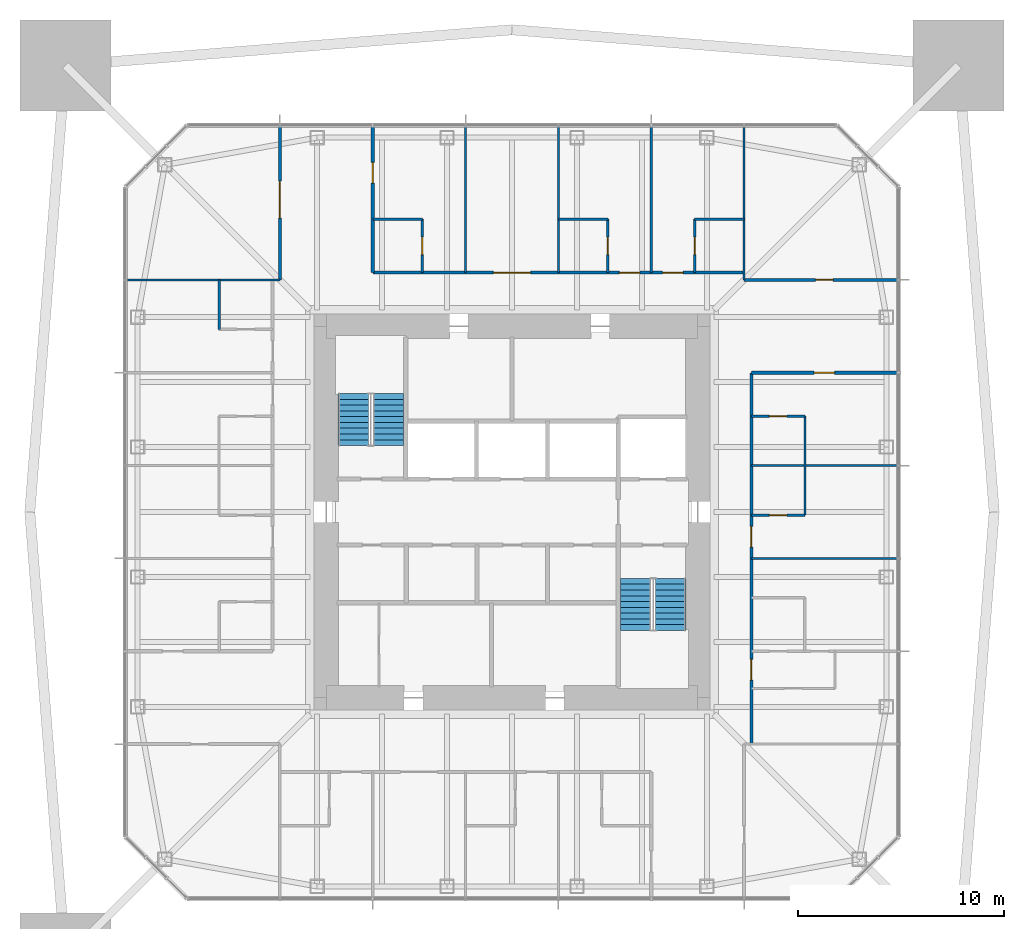
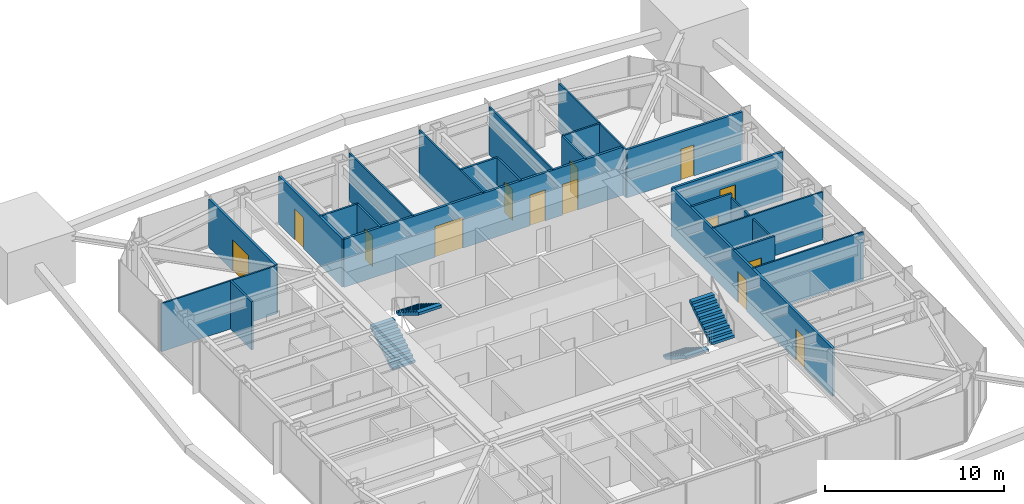
# One storey, part 10 of 13: 23 walls, 14 doors, 4 stair flights, 14 openings, 2 elements without a shape of their own.
"""IFC4 building model written with IfcOpenShell, lengths in metres."""

from ifc_helpers import new_model, si_unit, direction, frame, frame_2d, origin, place, context, subcontext, project, spatial, polyline, rectangle, outline, extrude, material, layer, layer_set, constituent, constituent_set, type_object, element, fill, aggregate, save


model = new_model("IFC4")

# Units and contexts
model_context = context("Model", 3, precision=1e-05, world=origin(), true_north=direction((0.0, 1.0)))
body_context = subcontext(model_context, "Body", "Model", "MODEL_VIEW")
ifc_project = project(units=[si_unit("LENGTHUNIT", "METRE"), si_unit("AREAUNIT", "SQUARE_METRE"), si_unit("VOLUMEUNIT", "CUBIC_METRE"), si_unit("PLANEANGLEUNIT", "RADIAN"), si_unit("MASSUNIT", "GRAM", prefix="KILO")], contexts=[model_context])

# Site, building, storey
site_placement = place(None, origin())
site = spatial("IfcSite", under=ifc_project, at=site_placement, CompositionType="ELEMENT")
building_placement = place(site_placement, origin())
building = spatial("IfcBuilding", under=site, at=building_placement, Name="Iwan Alto Co-Living Towers", CompositionType="ELEMENT")
storey_placement = place(building_placement, frame((0.0, 0.0, 160.0)))
storey = spatial("IfcBuildingStorey", under=building, at=storey_placement, Name="L43", CompositionType="ELEMENT", Elevation=160.0)

# Wall, opening, door
ifc_material_1 = material(Name="Gypsum board")
ifc_layer_1 = layer(ifc_material_1, 0.02490234375, Name="Board", Category="Finish")
ifc_material_2 = material(Name="Steel ASTM A1003 ST33H cold-formed studs", Category="steel")
ifc_layer_2 = layer(ifc_material_2, 0.10009765625, Name="Studs", Category="Framing")
ifc_layer_3 = layer(ifc_material_1, 0.02490234375, Name="Board", Category="Finish")
ifc_layer_set_1 = layer_set([ifc_layer_1, ifc_layer_2, ifc_layer_3], Name="CORRIDOR WALL 150")
wall_type_1 = type_object("IfcWallType", Name="CORRIDOR WALL 150", PredefinedType="PARTITIONING", material=ifc_layer_set_1)
wall_1_placement = place(storey_placement, frame((11.60009765625, 6.75, 0.0), z_axis=(0.0, 0.0, 1.0), x_axis=(1.0, 0.0, 0.0)))
wall_1 = element("IfcWall", 1, at=wall_1_placement, inside=storey, type_object=wall_type_1, Name="Partition L43", PredefinedType="PARTITIONING", context=body_context, shape_type="SweptSolid", body=[
    extrude(rectangle(XDim=7.08984375, YDim=0.14990234375, at=frame_2d((3.544921875, 0.0))), origin(), (0.0, 0.0, 1.0), 3.27001953125),
])
opening_1_placement = place(wall_1_placement, frame((3.044921875, 0.0, 0.0)))
opening_1 = element("IfcOpeningElement", 2, at=opening_1_placement, cuts=wall_1, Name="Opening D3", PredefinedType="OPENING", context=body_context, shape_type="SweptSolid", body=[
    extrude(rectangle(XDim=1.0, YDim=2.10009765625, at=frame_2d((0.5, 1.050048828125))), frame((0.0, 0.0849609375, 0.0), z_axis=(0.0, -1.0, 0.0), x_axis=(1.0, 0.0, 0.0)), (0.0, 0.0, 1.0), 0.169921875),
])
ifc_material_3 = material(Name="Steel frame with timber leaf", Category="steel")
door_type_1 = type_object("IfcDoorType", Name="FLAT ENTRANCE DOOR FD30S 1000X2100", OperationType="SINGLE_SWING_LEFT", PredefinedType="DOOR", material=ifc_material_3)
door_1_placement = place(opening_1_placement, frame((1.0, 0.0, 0.0), z_axis=(0.0, 0.0, 1.0), x_axis=(-1.0, 0.0, 0.0)))
door_1 = element("IfcDoor", 3, at=door_1_placement, inside=storey, type_object=door_type_1, Name="Studio door L43", OperationType="SINGLE_SWING_RIGHT", OverallHeight=2.10009765625, OverallWidth=1.0, PredefinedType="DOOR", context=body_context, shape_type="SweptSolid", body=[
    extrude(rectangle(XDim=1.0, YDim=2.10009765625, at=frame_2d((0.5, 1.050048828125))), frame((0.0, 0.02490234375, 0.0), z_axis=(0.0, -1.0, 0.0), x_axis=(1.0, 0.0, 0.0)), (0.0, 0.0, 1.0), 0.050048828125),
])
fill(opening_1, door_1)

wall_2_placement = place(storey_placement, frame((11.25, 11.25, 0.0), z_axis=(0.0, 0.0, 1.0), x_axis=(1.0, 0.0, 0.0)))
wall_2 = element("IfcWall", 4, at=wall_2_placement, inside=storey, type_object=wall_type_1, Name="Partition L43", PredefinedType="PARTITIONING", context=body_context, shape_type="SweptSolid", body=[
    extrude(rectangle(XDim=7.43994140625, YDim=0.14990234375, at=frame_2d((3.719970703125, 0.0))), origin(), (0.0, 0.0, 1.0), 3.27001953125),
])
opening_2_placement = place(wall_2_placement, frame((3.469970703125, 0.0, 0.0)))
opening_2 = element("IfcOpeningElement", 5, at=opening_2_placement, cuts=wall_2, Name="Opening D2", PredefinedType="OPENING", context=body_context, shape_type="SweptSolid", body=[
    extrude(rectangle(XDim=0.85009765625, YDim=2.10009765625, at=frame_2d((0.425048828125, 1.050048828125))), frame((0.0, 0.0849609375, 0.0), z_axis=(0.0, -1.0, 0.0), x_axis=(1.0, 0.0, 0.0)), (0.0, 0.0, 1.0), 0.169921875),
])
ifc_material_4 = material(Name="Timber leaf in steel frame", Category="steel")
door_type_2 = type_object("IfcDoorType", Name="ROOM DOOR 850X2100", OperationType="SINGLE_SWING_LEFT", PredefinedType="DOOR", material=ifc_material_4)
door_2_placement = place(opening_2_placement, origin())
door_2 = element("IfcDoor", 6, at=door_2_placement, inside=storey, type_object=door_type_2, Name="Shared kitchen and lounge door L43", OperationType="SINGLE_SWING_RIGHT", OverallHeight=2.10009765625, OverallWidth=0.85009765625, PredefinedType="DOOR", context=body_context, shape_type="SweptSolid", body=[
    extrude(rectangle(XDim=0.85009765625, YDim=2.10009765625, at=frame_2d((0.425048828125, 1.050048828125))), frame((0.0, 0.02490234375, 0.0), z_axis=(0.0, -1.0, 0.0), x_axis=(1.0, 0.0, 0.0)), (0.0, 0.0, 1.0), 0.050048828125),
])
fill(opening_2, door_2)

# Wall, openings, doors
wall_3_placement = place(storey_placement, frame((-6.75, 11.60009765625, 0.0), z_axis=(0.0, 0.0, 1.0), x_axis=(1.0, 0.0, 0.0)))
wall_3 = element("IfcWall", 7, at=wall_3_placement, inside=storey, type_object=wall_type_1, Name="Partition L43", PredefinedType="PARTITIONING", context=body_context, shape_type="SweptSolid", body=[
    extrude(rectangle(XDim=18.0, YDim=0.14990234375, at=frame_2d((9.0, 0.0))), origin(), (0.0, 0.0, 1.0), 3.27001953125),
])
opening_3_placement = place(wall_3_placement, frame((14.050048828125, 0.0, 0.0)))
opening_3 = element("IfcOpeningElement", 8, at=opening_3_placement, cuts=wall_3, Name="Opening D3", PredefinedType="OPENING", context=body_context, shape_type="SweptSolid", body=[
    extrude(rectangle(XDim=1.0, YDim=2.10009765625, at=frame_2d((0.5, 1.050048828125))), frame((0.0, 0.0849609375, 0.0), z_axis=(0.0, -1.0, 0.0), x_axis=(1.0, 0.0, 0.0)), (0.0, 0.0, 1.0), 0.169921875),
])
opening_4_placement = place(wall_3_placement, frame((11.949951171875, 0.0, 0.0)))
opening_4 = element("IfcOpeningElement", 9, at=opening_4_placement, cuts=wall_3, Name="Opening D3", PredefinedType="OPENING", context=body_context, shape_type="SweptSolid", body=[
    extrude(rectangle(XDim=1.0, YDim=2.10009765625, at=frame_2d((0.5, 1.050048828125))), frame((0.0, 0.0849609375, 0.0), z_axis=(0.0, -1.0, 0.0), x_axis=(1.0, 0.0, 0.0)), (0.0, 0.0, 1.0), 0.169921875),
])
opening_5_placement = place(wall_3_placement, frame((5.85009765625, 0.0, 0.0)))
opening_5 = element("IfcOpeningElement", 10, at=opening_5_placement, cuts=wall_3, Name="Opening D9", PredefinedType="OPENING", context=body_context, shape_type="SweptSolid", body=[
    extrude(rectangle(XDim=1.800048828125, YDim=2.10009765625, at=frame_2d((0.89990234375, 1.050048828125))), frame((0.0, 0.0849609375, 0.0), z_axis=(0.0, -1.0, 0.0), x_axis=(1.0, 0.0, 0.0)), (0.0, 0.0, 1.0), 0.169921875),
])
door_3_placement = place(opening_3_placement, origin())
door_3 = element("IfcDoor", 11, at=door_3_placement, inside=storey, type_object=door_type_1, Name="Studio door L43", OperationType="SINGLE_SWING_LEFT", OverallHeight=2.10009765625, OverallWidth=1.0, PredefinedType="DOOR", context=body_context, shape_type="SweptSolid", body=[
    extrude(rectangle(XDim=1.0, YDim=2.10009765625, at=frame_2d((0.5, 1.050048828125))), frame((0.0, 0.02490234375, 0.0), z_axis=(0.0, -1.0, 0.0), x_axis=(1.0, 0.0, 0.0)), (0.0, 0.0, 1.0), 0.050048828125),
])
fill(opening_3, door_3)
door_4_placement = place(opening_4_placement, origin())
door_4 = element("IfcDoor", 12, at=door_4_placement, inside=storey, type_object=door_type_1, Name="Studio door L43", OperationType="SINGLE_SWING_LEFT", OverallHeight=2.10009765625, OverallWidth=1.0, PredefinedType="DOOR", context=body_context, shape_type="SweptSolid", body=[
    extrude(rectangle(XDim=1.0, YDim=2.10009765625, at=frame_2d((0.5, 1.050048828125))), frame((0.0, 0.02490234375, 0.0), z_axis=(0.0, -1.0, 0.0), x_axis=(1.0, 0.0, 0.0)), (0.0, 0.0, 1.0), 0.050048828125),
])
fill(opening_4, door_4)
ifc_material_5 = material(Name="Steel frame with timber leaf", Category="steel")
door_type_3 = type_object("IfcDoorType", Name="LOUNGE DOOR FD30S 1800X2100", OperationType="DOUBLE_DOOR_SINGLE_SWING", PredefinedType="DOOR", material=ifc_material_5)
door_5_placement = place(opening_5_placement, origin())
door_5 = element("IfcDoor", 13, at=door_5_placement, inside=storey, type_object=door_type_3, Name="Seminar room door L43", OperationType="DOUBLE_DOOR_SINGLE_SWING", OverallHeight=2.10009765625, OverallWidth=1.800048828125, PredefinedType="DOOR", context=body_context, shape_type="SweptSolid", body=[
    extrude(rectangle(XDim=1.800048828125, YDim=2.10009765625, at=frame_2d((0.89990234375, 1.050048828125))), frame((0.0, 0.02490234375, 0.0), z_axis=(0.0, -1.0, 0.0), x_axis=(1.0, 0.0, 0.0)), (0.0, 0.0, 1.0), 0.050048828125),
])
fill(opening_5, door_5)

wall_4_placement = place(storey_placement, frame((11.60009765625, -11.25, 0.0), z_axis=(0.0, 0.0, 1.0), x_axis=(0.0, 1.0, 0.0)))
wall_4 = element("IfcWall", 14, at=wall_4_placement, inside=storey, type_object=wall_type_1, Name="Partition L43", PredefinedType="PARTITIONING", context=body_context, shape_type="SweptSolid", body=[
    extrude(rectangle(XDim=18.0, YDim=0.14990234375, at=frame_2d((9.0, 0.0))), origin(), (0.0, 0.0, 1.0), 3.27001953125),
])
opening_6_placement = place(wall_4_placement, frame((3.10009765625, 0.0, 0.0)))
opening_6 = element("IfcOpeningElement", 15, at=opening_6_placement, cuts=wall_4, Name="Opening D3", PredefinedType="OPENING", context=body_context, shape_type="SweptSolid", body=[
    extrude(rectangle(XDim=1.0, YDim=2.10009765625, at=frame_2d((0.5, 1.050048828125))), frame((0.0, 0.0849609375, 0.0), z_axis=(0.0, -1.0, 0.0), x_axis=(1.0, 0.0, 0.0)), (0.0, 0.0, 1.0), 0.169921875),
])
opening_7_placement = place(wall_4_placement, frame((9.550048828125, 0.0, 0.0)))
opening_7 = element("IfcOpeningElement", 16, at=opening_7_placement, cuts=wall_4, Name="Opening D3", PredefinedType="OPENING", context=body_context, shape_type="SweptSolid", body=[
    extrude(rectangle(XDim=1.0, YDim=2.10009765625, at=frame_2d((0.5, 1.050048828125))), frame((0.0, 0.0849609375, 0.0), z_axis=(0.0, -1.0, 0.0), x_axis=(1.0, 0.0, 0.0)), (0.0, 0.0, 1.0), 0.169921875),
])
door_6_placement = place(opening_6_placement, frame((1.0, 0.0, 0.0), z_axis=(0.0, 0.0, 1.0), x_axis=(-1.0, 0.0, 0.0)))
door_6 = element("IfcDoor", 17, at=door_6_placement, inside=storey, type_object=door_type_1, Name="Apartment foyer door L43", OperationType="SINGLE_SWING_RIGHT", OverallHeight=2.10009765625, OverallWidth=1.0, PredefinedType="DOOR", context=body_context, shape_type="SweptSolid", body=[
    extrude(rectangle(XDim=1.0, YDim=2.10009765625, at=frame_2d((0.5, 1.050048828125))), frame((0.0, 0.02490234375, 0.0), z_axis=(0.0, -1.0, 0.0), x_axis=(1.0, 0.0, 0.0)), (0.0, 0.0, 1.0), 0.050048828125),
])
fill(opening_6, door_6)
door_7_placement = place(opening_7_placement, frame((1.0, 0.0, 0.0), z_axis=(0.0, 0.0, 1.0), x_axis=(-1.0, 0.0, 0.0)))
door_7 = element("IfcDoor", 18, at=door_7_placement, inside=storey, type_object=door_type_1, Name="Studio door L43", OperationType="SINGLE_SWING_RIGHT", OverallHeight=2.10009765625, OverallWidth=1.0, PredefinedType="DOOR", context=body_context, shape_type="SweptSolid", body=[
    extrude(rectangle(XDim=1.0, YDim=2.10009765625, at=frame_2d((0.5, 1.050048828125))), frame((0.0, 0.02490234375, 0.0), z_axis=(0.0, -1.0, 0.0), x_axis=(1.0, 0.0, 0.0)), (0.0, 0.0, 1.0), 0.050048828125),
])
fill(opening_7, door_7)

# Wall, opening, door
wall_5_placement = place(storey_placement, frame((-6.75, 11.60009765625, 0.0), z_axis=(0.0, 0.0, 1.0), x_axis=(0.0, 1.0, 0.0)))
wall_5 = element("IfcWall", 19, at=wall_5_placement, inside=storey, type_object=wall_type_1, Name="Partition L43", PredefinedType="PARTITIONING", context=body_context, shape_type="SweptSolid", body=[
    extrude(rectangle(XDim=7.08984375, YDim=0.14990234375, at=frame_2d((3.544921875, 0.0))), origin(), (0.0, 0.0, 1.0), 3.27001953125),
])
opening_8_placement = place(wall_5_placement, frame((4.344970703125, 0.0, 0.0)))
opening_8 = element("IfcOpeningElement", 20, at=opening_8_placement, cuts=wall_5, Name="Opening D3", PredefinedType="OPENING", context=body_context, shape_type="SweptSolid", body=[
    extrude(rectangle(XDim=1.0, YDim=2.10009765625, at=frame_2d((0.5, 1.050048828125))), frame((0.0, 0.0849609375, 0.0), z_axis=(0.0, -1.0, 0.0), x_axis=(1.0, 0.0, 0.0)), (0.0, 0.0, 1.0), 0.169921875),
])
door_8_placement = place(opening_8_placement, frame((1.0, 0.0, 0.0), z_axis=(0.0, 0.0, 1.0), x_axis=(-1.0, 0.0, 0.0)))
door_8 = element("IfcDoor", 21, at=door_8_placement, inside=storey, type_object=door_type_1, Name="Studio door L43", OperationType="SINGLE_SWING_RIGHT", OverallHeight=2.10009765625, OverallWidth=1.0, PredefinedType="DOOR", context=body_context, shape_type="SweptSolid", body=[
    extrude(rectangle(XDim=1.0, YDim=2.10009765625, at=frame_2d((0.5, 1.050048828125))), frame((0.0, 0.02490234375, 0.0), z_axis=(0.0, -1.0, 0.0), x_axis=(1.0, 0.0, 0.0)), (0.0, 0.0, 1.0), 0.050048828125),
])
fill(opening_8, door_8)

wall_6_placement = place(storey_placement, frame((-11.25, 11.25, 0.0), z_axis=(0.0, 0.0, 1.0), x_axis=(0.0, 1.0, 0.0)))
wall_6 = element("IfcWall", 22, at=wall_6_placement, inside=storey, type_object=wall_type_1, Name="Partition L43", PredefinedType="PARTITIONING", context=body_context, shape_type="SweptSolid", body=[
    extrude(rectangle(XDim=7.43994140625, YDim=0.14990234375, at=frame_2d((3.719970703125, 0.0))), origin(), (0.0, 0.0, 1.0), 3.27001953125),
])
opening_9_placement = place(wall_6_placement, frame((2.9951171875, 0.0, 0.0)))
opening_9 = element("IfcOpeningElement", 23, at=opening_9_placement, cuts=wall_6, Name="Opening D9", PredefinedType="OPENING", context=body_context, shape_type="SweptSolid", body=[
    extrude(rectangle(XDim=1.800048828125, YDim=2.10009765625, at=frame_2d((0.89990234375, 1.050048828125))), frame((0.0, 0.0849609375, 0.0), z_axis=(0.0, -1.0, 0.0), x_axis=(1.0, 0.0, 0.0)), (0.0, 0.0, 1.0), 0.169921875),
])
door_9_placement = place(opening_9_placement, origin())
door_9 = element("IfcDoor", 24, at=door_9_placement, inside=storey, type_object=door_type_3, Name="Courtyard lounge door L43", OperationType="DOUBLE_DOOR_SINGLE_SWING", OverallHeight=2.10009765625, OverallWidth=1.800048828125, PredefinedType="DOOR", context=body_context, shape_type="SweptSolid", body=[
    extrude(rectangle(XDim=1.800048828125, YDim=2.10009765625, at=frame_2d((0.89990234375, 1.050048828125))), frame((0.0, 0.02490234375, 0.0), z_axis=(0.0, -1.0, 0.0), x_axis=(1.0, 0.0, 0.0)), (0.0, 0.0, 1.0), 0.050048828125),
])
fill(opening_9, door_9)

# Walls
ifc_layer_4 = layer(ifc_material_1, 0.012451171875, Name="Board", Category="Finish")
ifc_layer_5 = layer(ifc_material_2, 0.074951171875, Name="Studs", Category="Framing")
ifc_layer_6 = layer(ifc_material_1, 0.012451171875, Name="Board", Category="Finish")
ifc_layer_set_2 = layer_set([ifc_layer_4, ifc_layer_5, ifc_layer_6], Name="PARTITION 100")
wall_type_2 = type_object("IfcWallType", Name="PARTITION 100", PredefinedType="PARTITIONING", material=ifc_layer_set_2)
for number, where, z_axis, x_axis, name in (
    (25, (11.60009765625, -2.25, 0.0), (0.0, 0.0, 1.0), (1.0, 0.0, 0.0), "Partition L43"),
    (26, (11.60009765625, 2.25, 0.0), (0.0, 0.0, 1.0), (1.0, 0.0, 0.0), "Partition L43"),
):
    element("IfcWall", number, at=place(storey_placement, frame(where, z_axis=z_axis, x_axis=x_axis)), inside=storey, type_object=wall_type_2, Name=name, PredefinedType="PARTITIONING", context=body_context, shape_type="SweptSolid", body=[
        extrude(rectangle(XDim=7.08984375, YDim=0.10009765625, at=frame_2d((3.544921875, 0.0))), origin(), (0.0, 0.0, 1.0), 3.27001953125),
    ])
wall_7_placement = place(storey_placement, frame((-18.68994140625, 11.25, 0.0), z_axis=(0.0, 0.0, 1.0), x_axis=(1.0, 0.0, 0.0)))
element("IfcWall", 27, at=wall_7_placement, inside=storey, type_object=wall_type_2, Name="Partition L43", PredefinedType="PARTITIONING", context=body_context, shape_type="SweptSolid", body=[
    extrude(rectangle(XDim=7.43994140625, YDim=0.10009765625, at=frame_2d((3.719970703125, 0.0))), origin(), (0.0, 0.0, 1.0), 3.27001953125),
])
wall_8_placement = place(storey_placement, frame((14.199951171875, -0.14990234375, 0.0), z_axis=(0.0, 0.0, 1.0), x_axis=(0.0, 1.0, 0.0)))
element("IfcWall", 28, at=wall_8_placement, inside=storey, type_object=wall_type_2, Name="Partition L43", PredefinedType="PARTITIONING", context=body_context, shape_type="SweptSolid", body=[
    extrude(rectangle(XDim=4.7998046875, YDim=0.10009765625, at=frame_2d((2.39990234375, 0.0))), origin(), (0.0, 0.0, 1.0), 3.0),
])
wall_9_placement = place(storey_placement, frame((11.25, 11.25, 0.0), z_axis=(0.0, 0.0, 1.0), x_axis=(0.0, 1.0, 0.0)))
element("IfcWall", 29, at=wall_9_placement, inside=storey, type_object=wall_type_2, Name="Partition L43", PredefinedType="PARTITIONING", context=body_context, shape_type="SweptSolid", body=[
    extrude(rectangle(XDim=7.43994140625, YDim=0.10009765625, at=frame_2d((3.719970703125, 0.0))), origin(), (0.0, 0.0, 1.0), 3.27001953125),
])
for number, where, z_axis, x_axis, name in (
    (30, (6.75, 11.60009765625, 0.0), (0.0, 0.0, 1.0), (0.0, 1.0, 0.0), "Partition L43"),
    (31, (2.25, 11.60009765625, 0.0), (0.0, 0.0, 1.0), (0.0, 1.0, 0.0), "Partition L43"),
    (32, (-2.25, 11.60009765625, 0.0), (0.0, 0.0, 1.0), (0.0, 1.0, 0.0), "Partition L43"),
):
    element("IfcWall", number, at=place(storey_placement, frame(where, z_axis=z_axis, x_axis=x_axis)), inside=storey, type_object=wall_type_2, Name=name, PredefinedType="PARTITIONING", context=body_context, shape_type="SweptSolid", body=[
        extrude(rectangle(XDim=7.08984375, YDim=0.10009765625, at=frame_2d((3.544921875, 0.0))), origin(), (0.0, 0.0, 1.0), 3.27001953125),
    ])

# Wall, opening, door
ifc_material_6 = material(Name="Cement board")
ifc_layer_7 = layer(ifc_material_6, 0.012451171875, Name="Board", Category="Finish")
ifc_layer_8 = layer(ifc_material_2, 0.094970703125, Name="Studs", Category="Framing")
ifc_layer_9 = layer(ifc_material_6, 0.012451171875, Name="Board", Category="Finish")
ifc_layer_set_3 = layer_set([ifc_layer_7, ifc_layer_8, ifc_layer_9], Name="WET AREA PARTITION 120")
wall_type_3 = type_object("IfcWallType", Name="WET AREA PARTITION 120", PredefinedType="PARTITIONING", material=ifc_layer_set_3)
wall_10_placement = place(storey_placement, frame((11.60009765625, -0.14990234375, 0.0), z_axis=(0.0, 0.0, 1.0), x_axis=(1.0, 0.0, 0.0)))
wall_10 = element("IfcWall", 33, at=wall_10_placement, inside=storey, type_object=wall_type_3, Name="Partition L43", PredefinedType="PARTITIONING", context=body_context, shape_type="SweptSolid", body=[
    extrude(rectangle(XDim=2.599853515625, YDim=0.1201171875, at=frame_2d((1.2998046875, 0.0))), origin(), (0.0, 0.0, 1.0), 3.27001953125),
])
opening_10_placement = place(wall_10_placement, frame((0.875, 0.0, 0.0)))
opening_10 = element("IfcOpeningElement", 34, at=opening_10_placement, cuts=wall_10, Name="Opening D2", PredefinedType="OPENING", context=body_context, shape_type="SweptSolid", body=[
    extrude(rectangle(XDim=0.85009765625, YDim=2.10009765625, at=frame_2d((0.425048828125, 1.050048828125))), frame((0.0, 0.070068359375, 0.0), z_axis=(0.0, -1.0, 0.0), x_axis=(1.0, 0.0, 0.0)), (0.0, 0.0, 1.0), 0.14013671875),
])
door_10_placement = place(opening_10_placement, frame((0.85009765625, 0.0, 0.0), z_axis=(0.0, 0.0, 1.0), x_axis=(-1.0, 0.0, 0.0)))
door_10 = element("IfcDoor", 35, at=door_10_placement, inside=storey, type_object=door_type_2, Name="En-suite shower room door L43", OperationType="SINGLE_SWING_RIGHT", OverallHeight=2.10009765625, OverallWidth=0.85009765625, PredefinedType="DOOR", context=body_context, shape_type="SweptSolid", body=[
    extrude(rectangle(XDim=0.85009765625, YDim=2.10009765625, at=frame_2d((0.425048828125, 1.050048828125))), frame((0.0, 0.02490234375, 0.0), z_axis=(0.0, -1.0, 0.0), x_axis=(1.0, 0.0, 0.0)), (0.0, 0.0, 1.0), 0.050048828125),
])
fill(opening_10, door_10)

wall_11_placement = place(storey_placement, frame((11.60009765625, 4.64990234375, 0.0), z_axis=(0.0, 0.0, 1.0), x_axis=(1.0, 0.0, 0.0)))
wall_11 = element("IfcWall", 36, at=wall_11_placement, inside=storey, type_object=wall_type_3, Name="Partition L43", PredefinedType="PARTITIONING", context=body_context, shape_type="SweptSolid", body=[
    extrude(rectangle(XDim=2.599853515625, YDim=0.1201171875, at=frame_2d((1.2998046875, 0.0))), origin(), (0.0, 0.0, 1.0), 3.27001953125),
])
opening_11_placement = place(wall_11_placement, frame((0.875, 0.0, 0.0)))
opening_11 = element("IfcOpeningElement", 37, at=opening_11_placement, cuts=wall_11, Name="Opening D2", PredefinedType="OPENING", context=body_context, shape_type="SweptSolid", body=[
    extrude(rectangle(XDim=0.85009765625, YDim=2.10009765625, at=frame_2d((0.425048828125, 1.050048828125))), frame((0.0, 0.070068359375, 0.0), z_axis=(0.0, -1.0, 0.0), x_axis=(1.0, 0.0, 0.0)), (0.0, 0.0, 1.0), 0.14013671875),
])
door_11_placement = place(opening_11_placement, origin())
door_11 = element("IfcDoor", 38, at=door_11_placement, inside=storey, type_object=door_type_2, Name="En-suite shower room door L43", OperationType="SINGLE_SWING_LEFT", OverallHeight=2.10009765625, OverallWidth=0.85009765625, PredefinedType="DOOR", context=body_context, shape_type="SweptSolid", body=[
    extrude(rectangle(XDim=0.85009765625, YDim=2.10009765625, at=frame_2d((0.425048828125, 1.050048828125))), frame((0.0, 0.02490234375, 0.0), z_axis=(0.0, -1.0, 0.0), x_axis=(1.0, 0.0, 0.0)), (0.0, 0.0, 1.0), 0.050048828125),
])
fill(opening_11, door_11)

# Walls
for number, where, z_axis, x_axis, name in (
    (39, (-6.75, 14.199951171875, 0.0), (0.0, 0.0, 1.0), (1.0, 0.0, 0.0), "Partition L43"),
    (40, (2.25, 14.199951171875, 0.0), (0.0, 0.0, 1.0), (1.0, 0.0, 0.0), "Partition L43"),
    (41, (8.85009765625, 14.199951171875, 0.0), (0.0, 0.0, 1.0), (1.0, 0.0, 0.0), "Partition L43"),
):
    element("IfcWall", number, at=place(storey_placement, frame(where, z_axis=z_axis, x_axis=x_axis)), inside=storey, type_object=wall_type_3, Name=name, PredefinedType="PARTITIONING", context=body_context, shape_type="SweptSolid", body=[
        extrude(rectangle(XDim=2.39990234375, YDim=0.1201171875, at=frame_2d((1.199951171875, 0.0))), origin(), (0.0, 0.0, 1.0), 3.27001953125),
    ])

# Wall, opening, door
wall_12_placement = place(storey_placement, frame((8.85009765625, 11.60009765625, 0.0), z_axis=(0.0, 0.0, 1.0), x_axis=(0.0, 1.0, 0.0)))
wall_12 = element("IfcWall", 42, at=wall_12_placement, inside=storey, type_object=wall_type_3, Name="Partition L43", PredefinedType="PARTITIONING", context=body_context, shape_type="SweptSolid", body=[
    extrude(rectangle(XDim=2.599853515625, YDim=0.1201171875, at=frame_2d((1.2998046875, 0.0))), origin(), (0.0, 0.0, 1.0), 3.27001953125),
])
opening_12_placement = place(wall_12_placement, frame((0.875, 0.0, 0.0)))
opening_12 = element("IfcOpeningElement", 43, at=opening_12_placement, cuts=wall_12, Name="Opening D2", PredefinedType="OPENING", context=body_context, shape_type="SweptSolid", body=[
    extrude(rectangle(XDim=0.85009765625, YDim=2.10009765625, at=frame_2d((0.425048828125, 1.050048828125))), frame((0.0, 0.070068359375, 0.0), z_axis=(0.0, -1.0, 0.0), x_axis=(1.0, 0.0, 0.0)), (0.0, 0.0, 1.0), 0.14013671875),
])
door_12_placement = place(opening_12_placement, origin())
door_12 = element("IfcDoor", 44, at=door_12_placement, inside=storey, type_object=door_type_2, Name="En-suite shower room door L43", OperationType="SINGLE_SWING_LEFT", OverallHeight=2.10009765625, OverallWidth=0.85009765625, PredefinedType="DOOR", context=body_context, shape_type="SweptSolid", body=[
    extrude(rectangle(XDim=0.85009765625, YDim=2.10009765625, at=frame_2d((0.425048828125, 1.050048828125))), frame((0.0, 0.02490234375, 0.0), z_axis=(0.0, -1.0, 0.0), x_axis=(1.0, 0.0, 0.0)), (0.0, 0.0, 1.0), 0.050048828125),
])
fill(opening_12, door_12)

wall_13_placement = place(storey_placement, frame((4.64990234375, 11.60009765625, 0.0), z_axis=(0.0, 0.0, 1.0), x_axis=(0.0, 1.0, 0.0)))
wall_13 = element("IfcWall", 45, at=wall_13_placement, inside=storey, type_object=wall_type_3, Name="Partition L43", PredefinedType="PARTITIONING", context=body_context, shape_type="SweptSolid", body=[
    extrude(rectangle(XDim=2.599853515625, YDim=0.1201171875, at=frame_2d((1.2998046875, 0.0))), origin(), (0.0, 0.0, 1.0), 3.27001953125),
])
opening_13_placement = place(wall_13_placement, frame((0.875, 0.0, 0.0)))
opening_13 = element("IfcOpeningElement", 46, at=opening_13_placement, cuts=wall_13, Name="Opening D2", PredefinedType="OPENING", context=body_context, shape_type="SweptSolid", body=[
    extrude(rectangle(XDim=0.85009765625, YDim=2.10009765625, at=frame_2d((0.425048828125, 1.050048828125))), frame((0.0, 0.070068359375, 0.0), z_axis=(0.0, -1.0, 0.0), x_axis=(1.0, 0.0, 0.0)), (0.0, 0.0, 1.0), 0.14013671875),
])
door_13_placement = place(opening_13_placement, frame((0.85009765625, 0.0, 0.0), z_axis=(0.0, 0.0, 1.0), x_axis=(-1.0, 0.0, 0.0)))
door_13 = element("IfcDoor", 47, at=door_13_placement, inside=storey, type_object=door_type_2, Name="En-suite shower room door L43", OperationType="SINGLE_SWING_RIGHT", OverallHeight=2.10009765625, OverallWidth=0.85009765625, PredefinedType="DOOR", context=body_context, shape_type="SweptSolid", body=[
    extrude(rectangle(XDim=0.85009765625, YDim=2.10009765625, at=frame_2d((0.425048828125, 1.050048828125))), frame((0.0, 0.02490234375, 0.0), z_axis=(0.0, -1.0, 0.0), x_axis=(1.0, 0.0, 0.0)), (0.0, 0.0, 1.0), 0.050048828125),
])
fill(opening_13, door_13)

wall_14_placement = place(storey_placement, frame((-4.35009765625, 11.60009765625, 0.0), z_axis=(0.0, 0.0, 1.0), x_axis=(0.0, 1.0, 0.0)))
wall_14 = element("IfcWall", 48, at=wall_14_placement, inside=storey, type_object=wall_type_3, Name="Partition L43", PredefinedType="PARTITIONING", context=body_context, shape_type="SweptSolid", body=[
    extrude(rectangle(XDim=2.599853515625, YDim=0.1201171875, at=frame_2d((1.2998046875, 0.0))), origin(), (0.0, 0.0, 1.0), 3.27001953125),
])
opening_14_placement = place(wall_14_placement, frame((0.875, 0.0, 0.0)))
opening_14 = element("IfcOpeningElement", 49, at=opening_14_placement, cuts=wall_14, Name="Opening D2", PredefinedType="OPENING", context=body_context, shape_type="SweptSolid", body=[
    extrude(rectangle(XDim=0.85009765625, YDim=2.10009765625, at=frame_2d((0.425048828125, 1.050048828125))), frame((0.0, 0.070068359375, 0.0), z_axis=(0.0, -1.0, 0.0), x_axis=(1.0, 0.0, 0.0)), (0.0, 0.0, 1.0), 0.14013671875),
])
door_14_placement = place(opening_14_placement, frame((0.85009765625, 0.0, 0.0), z_axis=(0.0, 0.0, 1.0), x_axis=(-1.0, 0.0, 0.0)))
door_14 = element("IfcDoor", 50, at=door_14_placement, inside=storey, type_object=door_type_2, Name="En-suite shower room door L43", OperationType="SINGLE_SWING_RIGHT", OverallHeight=2.10009765625, OverallWidth=0.85009765625, PredefinedType="DOOR", context=body_context, shape_type="SweptSolid", body=[
    extrude(rectangle(XDim=0.85009765625, YDim=2.10009765625, at=frame_2d((0.425048828125, 1.050048828125))), frame((0.0, 0.02490234375, 0.0), z_axis=(0.0, -1.0, 0.0), x_axis=(1.0, 0.0, 0.0)), (0.0, 0.0, 1.0), 0.050048828125),
])
fill(opening_14, door_14)

# Wall
wall_15_placement = place(storey_placement, frame((-14.199951171875, 8.85009765625, 0.0), z_axis=(0.0, 0.0, 1.0), x_axis=(0.0, 1.0, 0.0)))
element("IfcWall", 51, at=wall_15_placement, inside=storey, type_object=wall_type_3, Name="Partition L43", PredefinedType="PARTITIONING", context=body_context, shape_type="SweptSolid", body=[
    extrude(rectangle(XDim=2.39990234375, YDim=0.1201171875, at=frame_2d((1.199951171875, 0.0))), origin(), (0.0, 0.0, 1.0), 3.27001953125),
])

# Stair, stair flights
ifc_material_7 = material(Name="Steel ASTM A36", Category="steel")
ifc_constituent_1 = constituent(ifc_material_7, Name="Stringers", Category="LoadBearing")
ifc_material_8 = material(Name="Concrete f'c 30 MPa", Category="concrete")
ifc_constituent_2 = constituent(ifc_material_8, Name="Tread fill", Category="Finish")
ifc_constituent_set_1 = constituent_set(constituents=[ifc_constituent_1, ifc_constituent_2], Name="STAIR 3500 TWO-FLIGHT T1 CORE")
stair_type = type_object("IfcStairType", Name="STAIR 3500 TWO-FLIGHT T1 CORE", PredefinedType="HALF_TURN_STAIR", material=ifc_constituent_set_1)
stair_1_placement = place(storey_placement, origin())
stair_1 = element("IfcStair", 52, at=stair_1_placement, inside=storey, type_object=stair_type, Name="Stair T1-S1 L43 to L44", PredefinedType="HALF_TURN_STAIR")
ifc_constituent_3 = constituent(ifc_material_7, Name="Stringers", Category="LoadBearing")
ifc_constituent_4 = constituent(ifc_material_8, Name="Tread fill", Category="Finish")
ifc_constituent_set_2 = constituent_set(constituents=[ifc_constituent_3, ifc_constituent_4], Name="STAIR FLIGHT 10 RISERS 280 GOING")
stair_flight_type = type_object("IfcStairFlightType", Name="STAIR FLIGHT 10 RISERS 280 GOING", PredefinedType="STRAIGHT", material=ifc_constituent_set_2)
stair_flight_1_placement = place(storey_placement, frame((-7.68994140625, 3.219970703125, 0.0), z_axis=(0.0, 0.0, 1.0), x_axis=(0.0, 1.0, 0.0)))
stair_flight_1 = element("IfcStairFlight", 53, at=stair_flight_1_placement, type_object=stair_flight_type, Name="T1-S1 flight 1", NumberOfRisers=10, NumberOfTreads=9, PredefinedType="STRAIGHT", RiserHeight=0.175, TreadLength=0.28, context=body_context, shape_type="SweptSolid", body=[
    extrude(outline(polyline([(0.0, 0.0), (0.0, 0.175048828125), (0.280029296875, 0.175048828125), (0.280029296875, 0.35009765625), (0.56005859375, 0.35009765625), (0.56005859375, 0.52490234375), (0.840087890625, 0.52490234375), (0.840087890625, 0.699951171875), (1.1201171875, 0.699951171875), (1.1201171875, 0.875), (1.39990234375, 0.875), (1.39990234375, 1.050048828125), (1.679931640625, 1.050048828125), (1.679931640625, 1.22509765625), (1.9599609375, 1.22509765625), (1.9599609375, 1.39990234375), (2.239990234375, 1.39990234375), (2.239990234375, 1.574951171875), (2.52001953125, 1.574951171875), (2.52001953125, 1.75), (2.52001953125, 1.398193359375), (0.28271484375, 0.0), (0.0, 0.0)])), frame((0.0, 0.739990234375, 0.0), z_axis=(0.0, -1.0, 0.0), x_axis=(1.0, 0.0, 0.0)), (0.0, 0.0, 1.0), 1.47998046875),
])
stair_flight_2_placement = place(storey_placement, frame((-6.010009765625, 5.739990234375, 1.75), z_axis=(0.0, 0.0, 1.0), x_axis=(0.0, -1.0, 0.0)))
stair_flight_2 = element("IfcStairFlight", 54, at=stair_flight_2_placement, type_object=stair_flight_type, Name="T1-S1 flight 2", NumberOfRisers=10, NumberOfTreads=9, PredefinedType="STRAIGHT", RiserHeight=0.175, TreadLength=0.28, context=body_context, shape_type="SweptSolid", body=[
    extrude(outline(polyline([(0.0, 0.0), (0.0, 0.175048828125), (0.280029296875, 0.175048828125), (0.280029296875, 0.35009765625), (0.56005859375, 0.35009765625), (0.56005859375, 0.52490234375), (0.840087890625, 0.52490234375), (0.840087890625, 0.699951171875), (1.1201171875, 0.699951171875), (1.1201171875, 0.875), (1.39990234375, 0.875), (1.39990234375, 1.050048828125), (1.679931640625, 1.050048828125), (1.679931640625, 1.22509765625), (1.9599609375, 1.22509765625), (1.9599609375, 1.39990234375), (2.239990234375, 1.39990234375), (2.239990234375, 1.574951171875), (2.52001953125, 1.574951171875), (2.52001953125, 1.75), (2.52001953125, 1.398193359375), (0.28271484375, 0.0), (0.0, 0.0)])), frame((0.0, 0.739990234375, 0.0), z_axis=(0.0, -1.0, 0.0), x_axis=(1.0, 0.0, 0.0)), (0.0, 0.0, 1.0), 1.47998046875),
])
aggregate(stair_1, [stair_flight_1, stair_flight_2])

stair_2_placement = place(storey_placement, origin())
stair_2 = element("IfcStair", 55, at=stair_2_placement, inside=storey, type_object=stair_type, Name="Stair T1-S2 L43 to L44", PredefinedType="HALF_TURN_STAIR")
stair_flight_3_placement = place(storey_placement, frame((6.010009765625, -3.219970703125, 0.0), z_axis=(0.0, 0.0, 1.0), x_axis=(0.0, -1.0, 0.0)))
stair_flight_3 = element("IfcStairFlight", 56, at=stair_flight_3_placement, type_object=stair_flight_type, Name="T1-S2 flight 1", NumberOfRisers=10, NumberOfTreads=9, PredefinedType="STRAIGHT", RiserHeight=0.175, TreadLength=0.28, context=body_context, shape_type="SweptSolid", body=[
    extrude(outline(polyline([(0.0, 0.0), (0.0, 0.175048828125), (0.280029296875, 0.175048828125), (0.280029296875, 0.35009765625), (0.56005859375, 0.35009765625), (0.56005859375, 0.52490234375), (0.840087890625, 0.52490234375), (0.840087890625, 0.699951171875), (1.1201171875, 0.699951171875), (1.1201171875, 0.875), (1.39990234375, 0.875), (1.39990234375, 1.050048828125), (1.679931640625, 1.050048828125), (1.679931640625, 1.22509765625), (1.9599609375, 1.22509765625), (1.9599609375, 1.39990234375), (2.239990234375, 1.39990234375), (2.239990234375, 1.574951171875), (2.52001953125, 1.574951171875), (2.52001953125, 1.75), (2.52001953125, 1.398193359375), (0.28271484375, 0.0), (0.0, 0.0)])), frame((0.0, 0.739990234375, 0.0), z_axis=(0.0, -1.0, 0.0), x_axis=(1.0, 0.0, 0.0)), (0.0, 0.0, 1.0), 1.47998046875),
])
stair_flight_4_placement = place(storey_placement, frame((7.68994140625, -5.739990234375, 1.75), z_axis=(0.0, 0.0, 1.0), x_axis=(0.0, 1.0, 0.0)))
stair_flight_4 = element("IfcStairFlight", 57, at=stair_flight_4_placement, type_object=stair_flight_type, Name="T1-S2 flight 2", NumberOfRisers=10, NumberOfTreads=9, PredefinedType="STRAIGHT", RiserHeight=0.175, TreadLength=0.28, context=body_context, shape_type="SweptSolid", body=[
    extrude(outline(polyline([(0.0, 0.0), (0.0, 0.175048828125), (0.280029296875, 0.175048828125), (0.280029296875, 0.35009765625), (0.56005859375, 0.35009765625), (0.56005859375, 0.52490234375), (0.840087890625, 0.52490234375), (0.840087890625, 0.699951171875), (1.1201171875, 0.699951171875), (1.1201171875, 0.875), (1.39990234375, 0.875), (1.39990234375, 1.050048828125), (1.679931640625, 1.050048828125), (1.679931640625, 1.22509765625), (1.9599609375, 1.22509765625), (1.9599609375, 1.39990234375), (2.239990234375, 1.39990234375), (2.239990234375, 1.574951171875), (2.52001953125, 1.574951171875), (2.52001953125, 1.75), (2.52001953125, 1.398193359375), (0.28271484375, 0.0), (0.0, 0.0)])), frame((0.0, 0.739990234375, 0.0), z_axis=(0.0, -1.0, 0.0), x_axis=(1.0, 0.0, 0.0)), (0.0, 0.0, 1.0), 1.47998046875),
])
aggregate(stair_2, [stair_flight_3, stair_flight_4])

save(model, "model.ifc")
